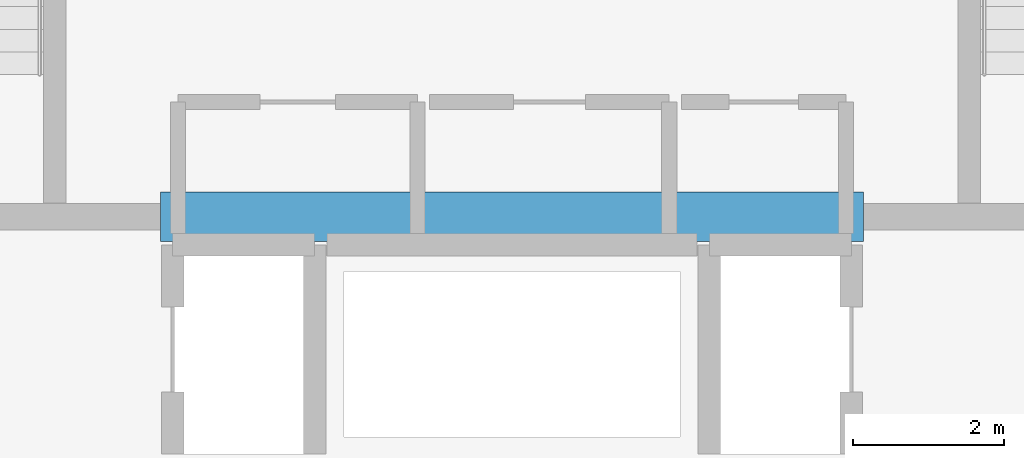
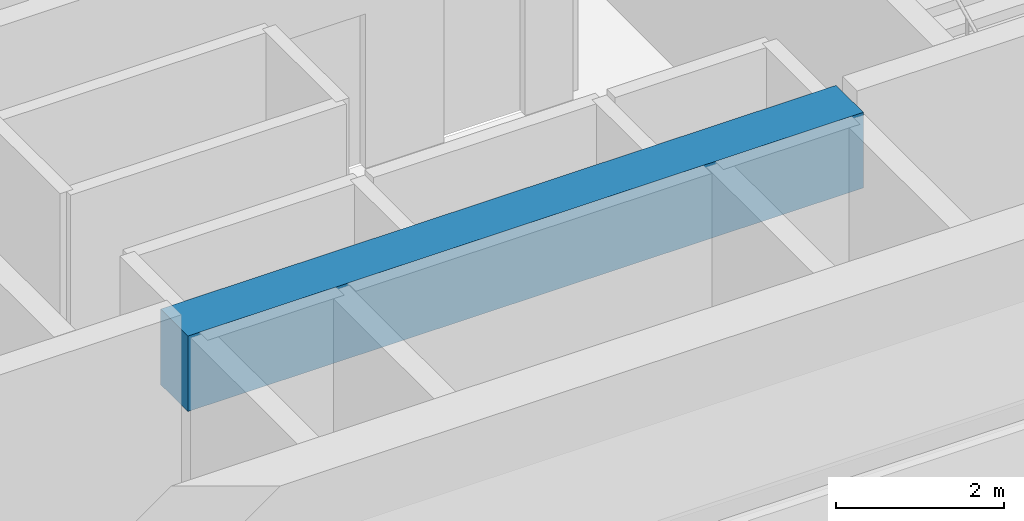
# One storey, part 9 of 38: 1 beam.
"""IFC4 building model written with IfcOpenShell, lengths in metres."""

from ifc_helpers import new_model, si_unit, direction, frame, origin, origin_2d, place, context, subcontext, project, spatial, rectangle, extrude, material, material_profile, profile_set, type_object, element, save


model = new_model("IFC4")

# Units and contexts
model_context = context("Model", 3, precision=1e-05, world=origin(), true_north=direction((0.0, 1.0)))
body_context = subcontext(model_context, "Body", "Model", "MODEL_VIEW")
ifc_project = project(units=[si_unit("LENGTHUNIT", "METRE"), si_unit("AREAUNIT", "SQUARE_METRE"), si_unit("VOLUMEUNIT", "CUBIC_METRE"), si_unit("PLANEANGLEUNIT", "RADIAN"), si_unit("MASSUNIT", "GRAM", prefix="KILO")], contexts=[model_context])

# Site, building, storey
site_placement = place(None, origin())
site = spatial("IfcSite", under=ifc_project, at=site_placement, CompositionType="ELEMENT")
building_placement = place(site_placement, origin())
building = spatial("IfcBuilding", under=site, at=building_placement, Name="Punatoya Terracotta Tower", CompositionType="ELEMENT")
storey_placement = place(building_placement, frame((0.0, 0.0, 156.0)))
storey = spatial("IfcBuildingStorey", under=building, at=storey_placement, Name="L36", CompositionType="ELEMENT", Elevation=156.0)

# Beam
ifc_material = material(Name="Concrete C60/75", Category="concrete")
ifc_material_profile = material_profile(ifc_material, rectangle(XDim=0.64990234375, YDim=1.10009765625, at=origin_2d()))
ifc_profile_set = profile_set([ifc_material_profile], Name="Concrete C60/75")
beam_type = type_object("IfcBeamType", Name="BM-RC-1100", PredefinedType="LINTEL", material=ifc_profile_set)
beam_placement = place(storey_placement, frame((-4.64990234375, -5.679931640625, 3.280029296875), z_axis=(1.0, 0.0, 0.0), x_axis=(0.0, 1.0, 0.0)))
element("IfcBeam", 1, at=beam_placement, inside=storey, type_object=beam_type, Name="L36 Core Coupling Lintel CSW", PredefinedType="LINTEL", context=body_context, shape_type="SweptSolid", body=[
    extrude(rectangle(XDim=0.64990234375, YDim=1.10009765625, at=origin_2d()), origin(), (0.0, 0.0, 1.0), 9.2998046875),
])

save(model, "model.ifc")
